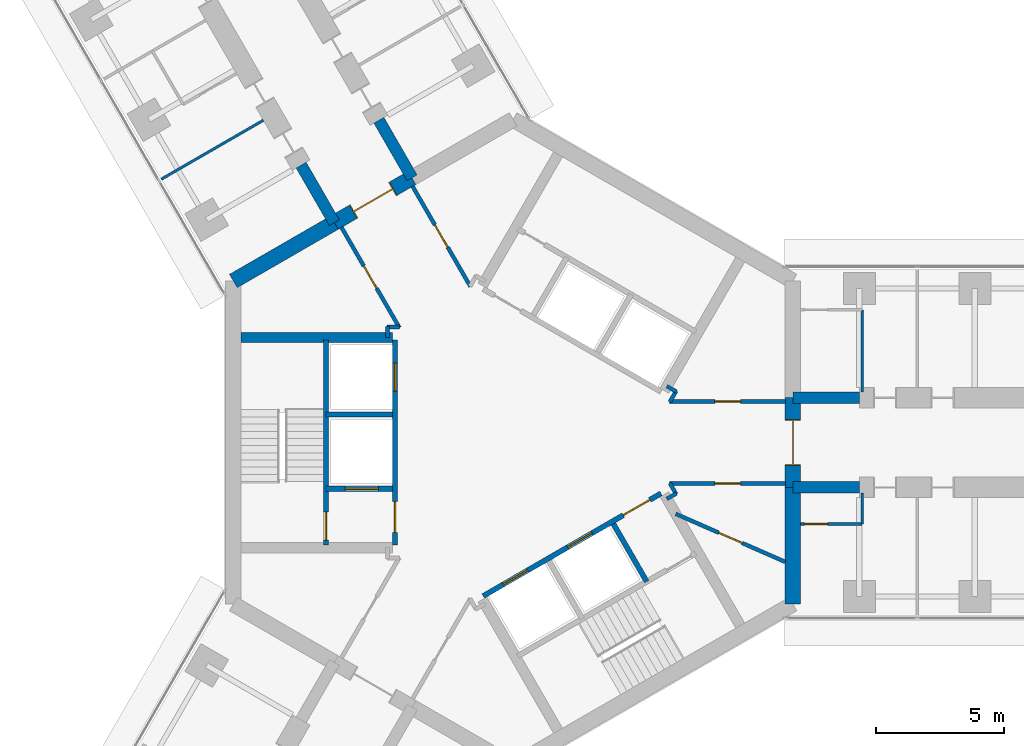
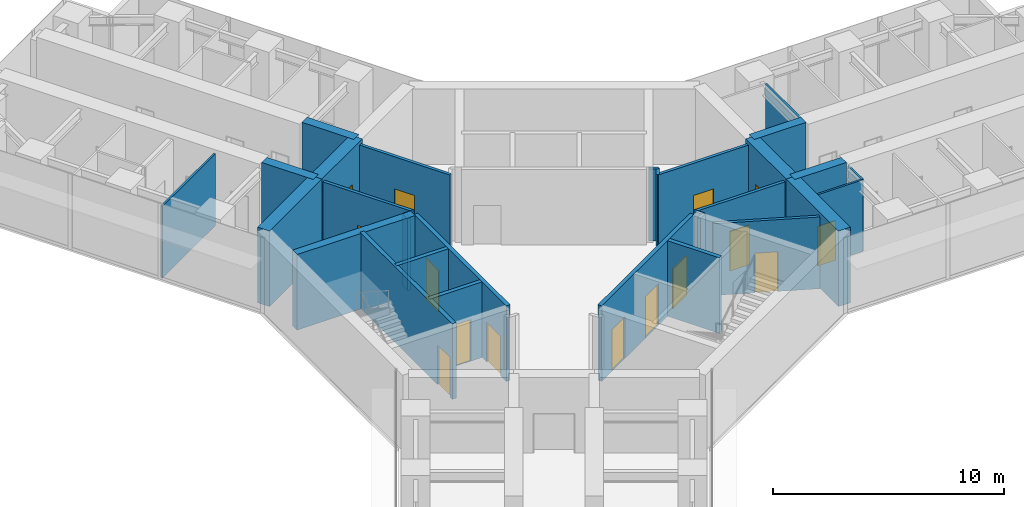
# One storey, part 16 of 23: 30 walls, 15 doors, 15 openings.
"""IFC4 building model written with IfcOpenShell, lengths in metres."""

from ifc_helpers import new_model, si_unit, direction, frame, frame_2d, origin, place, context, subcontext, project, spatial, rectangle, extrude, material, layer, layer_set, type_object, element, fill, save


model = new_model("IFC4")

# Units and contexts
model_context = context("Model", 3, precision=1e-05, world=origin(), true_north=direction((0.0, 1.0)))
body_context = subcontext(model_context, "Body", "Model", "MODEL_VIEW")
ifc_project = project(units=[si_unit("LENGTHUNIT", "METRE"), si_unit("AREAUNIT", "SQUARE_METRE"), si_unit("VOLUMEUNIT", "CUBIC_METRE"), si_unit("PLANEANGLEUNIT", "RADIAN"), si_unit("MASSUNIT", "GRAM", prefix="KILO")], contexts=[model_context])

# Site, building, storey
site_placement = place(None, origin())
site = spatial("IfcSite", under=ifc_project, at=site_placement, CompositionType="ELEMENT")
building_placement = place(site_placement, origin())
building = spatial("IfcBuilding", under=site, at=building_placement, Name="Upepo Twin Towers", CompositionType="ELEMENT")
storey_placement = place(building_placement, frame((0.0, 0.0, 149.5)))
storey = spatial("IfcBuildingStorey", under=building, at=storey_placement, Name="L36", CompositionType="ELEMENT", Elevation=149.5)

# Walls
ifc_material_1 = material(Name="Concrete C60/75", Category="concrete")
ifc_layer_1 = layer(ifc_material_1, 0.449951171875)
ifc_layer_set_1 = layer_set([ifc_layer_1], Name="Concrete C60/75")
wall_type_1 = type_object("IfcWallType", Name="Buttress wall 450 RC", PredefinedType="SHEAR", material=ifc_layer_set_1)
for number, where, z_axis, x_axis, name in (
    (1, (10.908447265625, 1.75, 0.0), (0.0, 0.0, 1.0), (1.0, 0.0, 0.0), "T1 wing A buttress wall L"),
    (2, (10.908447265625, -1.75, 0.0), (0.0, 0.0, 1.0), (1.0, 0.0, 0.0), "T1 wing A buttress wall R"),
):
    element("IfcWall", number, at=place(storey_placement, frame(where, z_axis=z_axis, x_axis=x_axis)), inside=storey, type_object=wall_type_1, Name=name, PredefinedType="SHEAR", context=body_context, shape_type="SweptSolid", body=[
        extrude(rectangle(XDim=2.591552734375, YDim=0.449951171875, at=frame_2d((1.2958984375, 0.0))), origin(), (0.0, 0.0, 1.0), 4.0),
    ])
for number, where, z_axis, x_axis, name in (
    (3, (-6.9697265625, 8.57177734375, 0.0), (0.0, 0.0, 1.0), (-0.499988811324, 0.866031863473, 0.0), "T1 wing B buttress wall L"),
    (4, (-3.938720703125, 10.32177734375, 0.0), (0.0, 0.0, 1.0), (-0.499918158782, 0.866072649678, 0.0), "T1 wing B buttress wall R"),
):
    element("IfcWall", number, at=place(storey_placement, frame(where, z_axis=z_axis, x_axis=x_axis)), inside=storey, type_object=wall_type_1, Name=name, PredefinedType="SHEAR", context=body_context, shape_type="SweptSolid", body=[
        extrude(rectangle(XDim=2.591796875, YDim=0.449951171875, at=frame_2d((1.2958984375, 0.0))), origin(), (0.0, 0.0, 1.0), 4.0),
    ])
ifc_material_2 = material(Name="Concrete C60/75", Category="concrete")
ifc_layer_2 = layer(ifc_material_2, 0.60009765625)
ifc_layer_set_2 = layer_set([ifc_layer_2], Name="Concrete C60/75")
wall_type_2 = type_object("IfcWallType", Name="Core wall 600 RC", PredefinedType="SHEAR", material=ifc_layer_set_2)
wall_1_placement = place(storey_placement, frame((10.908447265625, -6.2978515625, 0.0), z_axis=(0.0, 0.0, 1.0), x_axis=(0.0, 1.0, 0.0)))
element("IfcWall", 5, at=wall_1_placement, inside=storey, type_object=wall_type_2, Name="T1 core wall 000 R", PredefinedType="SHEAR", context=body_context, shape_type="SweptSolid", body=[
    extrude(rectangle(XDim=4.5478515625, YDim=0.60009765625, at=frame_2d((2.27392578125, 0.0))), origin(), (0.0, 0.0, 1.0), 4.0),
])

# Wall, opening, door
wall_2_placement = place(storey_placement, frame((10.908447265625, -1.75, 0.0), z_axis=(0.0, 0.0, 1.0), x_axis=(0.0, 1.0, 0.0)))
wall_2 = element("IfcWall", 6, at=wall_2_placement, inside=storey, type_object=wall_type_2, Name="T1 core wall 000", PredefinedType="SHEAR", context=body_context, shape_type="SweptSolid", body=[
    extrude(rectangle(XDim=3.5, YDim=0.60009765625, at=frame_2d((1.75, 0.0))), origin(), (0.0, 0.0, 1.0), 4.0),
])
opening_1_placement = place(wall_2_placement, frame((0.85009765625, 0.0, 0.0)))
opening_1 = element("IfcOpeningElement", 7, at=opening_1_placement, cuts=wall_2, Name="Opening D2", PredefinedType="OPENING", context=body_context, shape_type="SweptSolid", body=[
    extrude(rectangle(XDim=1.800048828125, YDim=2.10009765625, at=frame_2d((0.89990234375, 1.050048828125))), frame((0.0, 0.31005859375, 0.0), z_axis=(0.0, -1.0, 0.0), x_axis=(1.0, 0.0, 0.0)), (0.0, 0.0, 1.0), 0.6201171875),
])
ifc_material_3 = material(Name="Timber doorset", Category="wood")
door_type_1 = type_object("IfcDoorType", Name="Corridor double door 1800 FD60", OperationType="DOUBLE_DOOR_DOUBLE_SWING", PredefinedType="DOOR", material=ifc_material_3)
door_1_placement = place(opening_1_placement, origin())
door_1 = element("IfcDoor", 8, at=door_1_placement, inside=storey, type_object=door_type_1, Name="T1 L36 wing A corridor door", OperationType="DOUBLE_DOOR_DOUBLE_SWING", OverallHeight=2.10009765625, OverallWidth=1.800048828125, PredefinedType="DOOR", context=body_context, shape_type="SweptSolid", body=[
    extrude(rectangle(XDim=1.720048828125, YDim=2.06009765625, at=frame_2d((0.89990234375, 1.030029296875))), frame((0.0, 0.02490234375, 0.0), z_axis=(0.0, -1.0, 0.0), x_axis=(1.0, 0.0, 0.0)), (0.0, 0.0, 1.0), 0.050048828125),
    extrude(rectangle(XDim=0.04, YDim=2.10009765625, at=frame_2d((0.02001953125, 1.050048828125))), frame((0.0, 0.2998046875, 0.0), z_axis=(0.0, -1.0, 0.0), x_axis=(1.0, 0.0, 0.0)), (0.0, 0.0, 1.0), 0.599609375),
    extrude(rectangle(XDim=0.04, YDim=2.10009765625, at=frame_2d((1.780029296875, 1.050048828125))), frame((0.0, 0.2998046875, 0.0), z_axis=(0.0, -1.0, 0.0), x_axis=(1.0, 0.0, 0.0)), (0.0, 0.0, 1.0), 0.599609375),
    extrude(rectangle(XDim=1.720048828125, YDim=0.04, at=frame_2d((0.89990234375, 2.080078125))), frame((0.0, 0.2998046875, 0.0), z_axis=(0.0, -1.0, 0.0), x_axis=(1.0, 0.0, 0.0)), (0.0, 0.0, 1.0), 0.599609375),
])
fill(opening_1, door_1)

wall_3_placement = place(storey_placement, frame((-3.938720703125, 10.32177734375, 0.0), z_axis=(0.0, 0.0, 1.0), x_axis=(-0.866019471182, -0.500010275428, 0.0)))
wall_3 = element("IfcWall", 9, at=wall_3_placement, inside=storey, type_object=wall_type_2, Name="T1 core wall 120", PredefinedType="SHEAR", context=body_context, shape_type="SweptSolid", body=[
    extrude(rectangle(XDim=3.5, YDim=0.60009765625, at=frame_2d((1.75, 0.0))), origin(), (0.0, 0.0, 1.0), 4.0),
])
opening_2_placement = place(wall_3_placement, frame((0.85009765625, 0.0, 0.0)))
opening_2 = element("IfcOpeningElement", 10, at=opening_2_placement, cuts=wall_3, Name="Opening D2", PredefinedType="OPENING", context=body_context, shape_type="SweptSolid", body=[
    extrude(rectangle(XDim=1.800048828125, YDim=2.10009765625, at=frame_2d((0.89990234375, 1.050048828125))), frame((0.0, 0.31005859375, 0.0), z_axis=(0.0, -1.0, 0.0), x_axis=(1.0, 0.0, 0.0)), (0.0, 0.0, 1.0), 0.6201171875),
])
door_2_placement = place(opening_2_placement, origin())
door_2 = element("IfcDoor", 11, at=door_2_placement, inside=storey, type_object=door_type_1, Name="T1 L36 wing B corridor door", OperationType="DOUBLE_DOOR_DOUBLE_SWING", OverallHeight=2.10009765625, OverallWidth=1.800048828125, PredefinedType="DOOR", context=body_context, shape_type="SweptSolid", body=[
    extrude(rectangle(XDim=1.720048828125, YDim=2.06009765625, at=frame_2d((0.89990234375, 1.030029296875))), frame((0.0, 0.02490234375, 0.0), z_axis=(0.0, -1.0, 0.0), x_axis=(1.0, 0.0, 0.0)), (0.0, 0.0, 1.0), 0.050048828125),
    extrude(rectangle(XDim=0.04, YDim=2.10009765625, at=frame_2d((0.02001953125, 1.050048828125))), frame((0.0, 0.2998046875, 0.0), z_axis=(0.0, -1.0, 0.0), x_axis=(1.0, 0.0, 0.0)), (0.0, 0.0, 1.0), 0.599609375),
    extrude(rectangle(XDim=0.04, YDim=2.10009765625, at=frame_2d((1.780029296875, 1.050048828125))), frame((0.0, 0.2998046875, 0.0), z_axis=(0.0, -1.0, 0.0), x_axis=(1.0, 0.0, 0.0)), (0.0, 0.0, 1.0), 0.599609375),
    extrude(rectangle(XDim=1.720048828125, YDim=0.04, at=frame_2d((0.89990234375, 2.080078125))), frame((0.0, 0.2998046875, 0.0), z_axis=(0.0, -1.0, 0.0), x_axis=(1.0, 0.0, 0.0)), (0.0, 0.0, 1.0), 0.599609375),
])
fill(opening_2, door_2)

# Walls
wall_4_placement = place(storey_placement, frame((-6.9697265625, 8.57177734375, 0.0), z_axis=(0.0, 0.0, 1.0), x_axis=(-0.866034513004, -0.499984222037, 0.0)))
element("IfcWall", 12, at=wall_4_placement, inside=storey, type_object=wall_type_2, Name="T1 core wall 120 L", PredefinedType="SHEAR", context=body_context, shape_type="SweptSolid", body=[
    extrude(rectangle(XDim=4.548095703125, YDim=0.60009765625, at=frame_2d((2.27392578125, 0.0))), origin(), (0.0, 0.0, 1.0), 4.0),
])
ifc_material_4 = material(Name="Gypsum board on steel studs", Category="steel")
ifc_layer_3 = layer(ifc_material_4, 0.10009765625)
ifc_layer_set_3 = layer_set([ifc_layer_3], Name="Office partition 100 stud")
wall_type_3 = type_object("IfcWallType", Name="Office partition 100 stud", PredefinedType="PARTITIONING", material=ifc_layer_set_3)
wall_5_placement = place(storey_placement, frame((13.60791015625, 1.97509765625, 0.0), z_axis=(0.0, 0.0, 1.0), x_axis=(0.0, 1.0, 0.0)))
element("IfcWall", 13, at=wall_5_placement, inside=storey, type_object=wall_type_3, Name="T1 WC bay partition AL end at 13.61", PredefinedType="PARTITIONING", context=body_context, shape_type="SweptSolid", body=[
    extrude(rectangle(XDim=3.199951171875, YDim=0.10009765625, at=frame_2d((1.60009765625, 0.0))), origin(), (0.0, 0.0, 1.0), 3.800048828125),
])

# Wall, opening, door
wall_6_placement = place(storey_placement, frame((11.2080078125, -3.175048828125, 0.0), z_axis=(0.0, 0.0, 1.0), x_axis=(1.0, 0.0, 0.0)))
wall_6 = element("IfcWall", 14, at=wall_6_placement, inside=storey, type_object=wall_type_3, Name="T1 WC bay partition AR at 11.21", PredefinedType="PARTITIONING", context=body_context, shape_type="SweptSolid", body=[
    extrude(rectangle(XDim=2.39990234375, YDim=0.10009765625, at=frame_2d((1.199951171875, 0.0))), origin(), (0.0, 0.0, 1.0), 3.800048828125),
])
opening_3_placement = place(wall_6_placement, frame((0.14990234375, 0.0, 0.0)))
opening_3 = element("IfcOpeningElement", 15, at=opening_3_placement, cuts=wall_6, Name="Opening D14", PredefinedType="OPENING", context=body_context, shape_type="SweptSolid", body=[
    extrude(rectangle(XDim=0.89990234375, YDim=2.10009765625, at=frame_2d((0.449951171875, 1.050048828125))), frame((0.0, 0.06005859375, 0.0), z_axis=(0.0, -1.0, 0.0), x_axis=(1.0, 0.0, 0.0)), (0.0, 0.0, 1.0), 0.1201171875),
])
ifc_material_5 = material(Name="Timber doorset", Category="wood")
door_type_2 = type_object("IfcDoorType", Name="Office door 900 FD30", OperationType="SINGLE_SWING_LEFT", PredefinedType="DOOR", material=ifc_material_5)
door_3_placement = place(opening_3_placement, origin())
door_3 = element("IfcDoor", 16, at=door_3_placement, inside=storey, type_object=door_type_2, Name="T1 L36 WC bay inner room door", OperationType="SINGLE_SWING_LEFT", OverallHeight=2.10009765625, OverallWidth=0.89990234375, PredefinedType="DOOR", context=body_context, shape_type="SweptSolid", body=[
    extrude(rectangle(XDim=0.89990234375, YDim=2.10009765625, at=frame_2d((0.449951171875, 1.050048828125))), frame((0.0, 0.02490234375, 0.0), z_axis=(0.0, -1.0, 0.0), x_axis=(1.0, 0.0, 0.0)), (0.0, 0.0, 1.0), 0.050048828125),
])
fill(opening_3, door_3)

# Walls
wall_7_placement = place(storey_placement, frame((13.60791015625, -1.97509765625, 0.0), z_axis=(0.0, 0.0, 1.0), x_axis=(0.0, -1.0, 0.0)))
element("IfcWall", 17, at=wall_7_placement, inside=storey, type_object=wall_type_3, Name="T1 WC bay partition AR end at 13.61", PredefinedType="PARTITIONING", context=body_context, shape_type="SweptSolid", body=[
    extrude(rectangle(XDim=1.199951171875, YDim=0.10009765625, at=frame_2d((0.60009765625, 0.0))), origin(), (0.0, 0.0, 1.0), 3.800048828125),
])
wall_8_placement = place(storey_placement, frame((-9.737060546875, 12.56494140625, 0.0), z_axis=(0.0, 0.0, 1.0), x_axis=(-0.866016770315, -0.500014953309, 0.0)))
element("IfcWall", 18, at=wall_8_placement, inside=storey, type_object=wall_type_3, Name="T1 partition BL at 15.75", PredefinedType="PARTITIONING", context=body_context, shape_type="SweptSolid", body=[
    extrude(rectangle(XDim=4.599853515625, YDim=0.10009765625, at=frame_2d((2.2998046875, 0.0))), origin(), (0.0, 0.0, 1.0), 3.800048828125),
])

# Wall, openings, doors
ifc_material_6 = material(Name="Concrete C40/50", Category="concrete")
ifc_layer_4 = layer(ifc_material_6, 0.199951171875)
ifc_layer_set_4 = layer_set([ifc_layer_4], Name="Concrete C40/50")
wall_type_4 = type_object("IfcWallType", Name="Shaft wall 200 RC", PredefinedType="SHEAR", material=ifc_layer_set_4)
wall_9_placement = place(storey_placement, frame((-4.60009765625, 4.0, 0.0), z_axis=(0.0, 0.0, 1.0), x_axis=(0.0, -1.0, 0.0)))
wall_9 = element("IfcWall", 19, at=wall_9_placement, inside=storey, type_object=wall_type_4, Name="T1 core W180 front wall", PredefinedType="SHEAR", context=body_context, shape_type="SweptSolid", body=[
    extrude(rectangle(XDim=8.0, YDim=0.199951171875, at=frame_2d((4.0, 0.0))), origin(), (0.0, 0.0, 1.0), 4.0),
])
opening_4_placement = place(wall_9_placement, frame((6.300048828125, 0.0, 0.0)))
opening_4 = element("IfcOpeningElement", 20, at=opening_4_placement, cuts=wall_9, Name="Opening D4", PredefinedType="OPENING", context=body_context, shape_type="SweptSolid", body=[
    extrude(rectangle(XDim=1.199951171875, YDim=2.10009765625, at=frame_2d((0.60009765625, 1.050048828125))), frame((0.0, 0.10986328125, 0.0), z_axis=(0.0, -1.0, 0.0), x_axis=(1.0, 0.0, 0.0)), (0.0, 0.0, 1.0), 0.219970703125),
])
opening_5_placement = place(wall_9_placement, frame((0.89990234375, 0.0, 0.0)))
opening_5 = element("IfcOpeningElement", 21, at=opening_5_placement, cuts=wall_9, Name="Opening LD1", PredefinedType="OPENING", context=body_context, shape_type="SweptSolid", body=[
    extrude(rectangle(XDim=1.10009765625, YDim=2.199951171875, at=frame_2d((0.550048828125, 1.10009765625))), frame((0.0, 0.10986328125, 0.0), z_axis=(0.0, -1.0, 0.0), x_axis=(1.0, 0.0, 0.0)), (0.0, 0.0, 1.0), 0.219970703125),
])
ifc_material_7 = material(Name="Steel doorset", Category="steel")
door_type_3 = type_object("IfcDoorType", Name="Lift landing door 1100", OperationType="DOUBLE_DOOR_SLIDING", PredefinedType="DOOR", material=ifc_material_7)
door_4_placement = place(opening_5_placement, origin())
door_4 = element("IfcDoor", 22, at=door_4_placement, inside=storey, type_object=door_type_3, Name="T1 L36 lift SV1 landing door", OperationType="DOUBLE_DOOR_SLIDING", OverallHeight=2.199951171875, OverallWidth=1.10009765625, PredefinedType="DOOR", context=body_context, shape_type="SweptSolid", body=[
    extrude(rectangle(XDim=1.10009765625, YDim=2.199951171875, at=frame_2d((0.550048828125, 1.10009765625))), frame((0.0, 0.02490234375, 0.0), z_axis=(0.0, -1.0, 0.0), x_axis=(1.0, 0.0, 0.0)), (0.0, 0.0, 1.0), 0.050048828125),
])
fill(opening_5, door_4)
ifc_material_8 = material(Name="Timber doorset", Category="wood")
door_type_4 = type_object("IfcDoorType", Name="Lobby door 1200 FD60", OperationType="SINGLE_SWING_LEFT", PredefinedType="DOOR", material=ifc_material_8)
door_5_placement = place(opening_4_placement, origin())
door_5 = element("IfcDoor", 23, at=door_5_placement, inside=storey, type_object=door_type_4, Name="T1 L36 W180 lobby door", OperationType="SINGLE_SWING_RIGHT", OverallHeight=2.10009765625, OverallWidth=1.199951171875, PredefinedType="DOOR", context=body_context, shape_type="SweptSolid", body=[
    extrude(rectangle(XDim=1.199951171875, YDim=2.10009765625, at=frame_2d((0.60009765625, 1.050048828125))), frame((0.0, 0.02490234375, 0.0), z_axis=(0.0, -1.0, 0.0), x_axis=(1.0, 0.0, 0.0)), (0.0, 0.0, 1.0), 0.050048828125),
])
fill(opening_4, door_5)

# Wall
wall_10_placement = place(storey_placement, frame((-4.699951171875, 1.10009765625, 0.0), z_axis=(0.0, 0.0, 1.0), x_axis=(-1.0, 0.0, 0.0)))
element("IfcWall", 24, at=wall_10_placement, inside=storey, type_object=wall_type_4, Name="T1 core W180 shaft divider", PredefinedType="SHEAR", context=body_context, shape_type="SweptSolid", body=[
    extrude(rectangle(XDim=2.60009765625, YDim=0.199951171875, at=frame_2d((1.300048828125, 0.0))), origin(), (0.0, 0.0, 1.0), 4.0),
])

# Wall, opening, door
wall_11_placement = place(storey_placement, frame((-4.699951171875, -1.800048828125, 0.0), z_axis=(0.0, 0.0, 1.0), x_axis=(-1.0, 0.0, 0.0)))
wall_11 = element("IfcWall", 25, at=wall_11_placement, inside=storey, type_object=wall_type_4, Name="T1 core W180 lobby wall", PredefinedType="SHEAR", context=body_context, shape_type="SweptSolid", body=[
    extrude(rectangle(XDim=2.60009765625, YDim=0.199951171875, at=frame_2d((1.300048828125, 0.0))), origin(), (0.0, 0.0, 1.0), 4.0),
])
opening_6_placement = place(wall_11_placement, frame((0.550048828125, 0.0, 0.0)))
opening_6 = element("IfcOpeningElement", 26, at=opening_6_placement, cuts=wall_11, Name="Opening LD2", PredefinedType="OPENING", context=body_context, shape_type="SweptSolid", body=[
    extrude(rectangle(XDim=1.300048828125, YDim=2.199951171875, at=frame_2d((0.64990234375, 1.10009765625))), frame((0.0, 0.10986328125, 0.0), z_axis=(0.0, -1.0, 0.0), x_axis=(1.0, 0.0, 0.0)), (0.0, 0.0, 1.0), 0.219970703125),
])
ifc_material_9 = material(Name="Steel doorset", Category="steel")
door_type_5 = type_object("IfcDoorType", Name="Firefighting lift landing door 1300", OperationType="DOUBLE_DOOR_SLIDING", PredefinedType="DOOR", material=ifc_material_9)
door_6_placement = place(opening_6_placement, origin())
door_6 = element("IfcDoor", 27, at=door_6_placement, inside=storey, type_object=door_type_5, Name="T1 L36 firefighting lift landing door", OperationType="DOUBLE_DOOR_SLIDING", OverallHeight=2.199951171875, OverallWidth=1.300048828125, PredefinedType="DOOR", context=body_context, shape_type="SweptSolid", body=[
    extrude(rectangle(XDim=1.300048828125, YDim=2.199951171875, at=frame_2d((0.64990234375, 1.10009765625))), frame((0.0, 0.02490234375, 0.0), z_axis=(0.0, -1.0, 0.0), x_axis=(1.0, 0.0, 0.0)), (0.0, 0.0, 1.0), 0.050048828125),
])
fill(opening_6, door_6)

wall_12_placement = place(storey_placement, frame((-7.300048828125, 4.0, 0.0), z_axis=(0.0, 0.0, 1.0), x_axis=(0.0, -1.0, 0.0)))
wall_12 = element("IfcWall", 28, at=wall_12_placement, inside=storey, type_object=wall_type_4, Name="T1 core W180 stair wall", PredefinedType="SHEAR", context=body_context, shape_type="SweptSolid", body=[
    extrude(rectangle(XDim=8.0, YDim=0.199951171875, at=frame_2d((4.0, 0.0))), origin(), (0.0, 0.0, 1.0), 4.0),
])
opening_7_placement = place(wall_12_placement, frame((6.699951171875, 0.0, 0.0)))
opening_7 = element("IfcOpeningElement", 29, at=opening_7_placement, cuts=wall_12, Name="Opening D3", PredefinedType="OPENING", context=body_context, shape_type="SweptSolid", body=[
    extrude(rectangle(XDim=1.10009765625, YDim=2.10009765625, at=frame_2d((0.550048828125, 1.050048828125))), frame((0.0, 0.10986328125, 0.0), z_axis=(0.0, -1.0, 0.0), x_axis=(1.0, 0.0, 0.0)), (0.0, 0.0, 1.0), 0.219970703125),
])
ifc_material_10 = material(Name="Timber doorset", Category="wood")
door_type_6 = type_object("IfcDoorType", Name="Stair door 1100 FD60", OperationType="SINGLE_SWING_LEFT", PredefinedType="DOOR", material=ifc_material_10)
door_7_placement = place(opening_7_placement, origin())
door_7 = element("IfcDoor", 30, at=door_7_placement, inside=storey, type_object=door_type_6, Name="T1 L36 stair door", OperationType="SINGLE_SWING_RIGHT", OverallHeight=2.10009765625, OverallWidth=1.10009765625, PredefinedType="DOOR", context=body_context, shape_type="SweptSolid", body=[
    extrude(rectangle(XDim=1.10009765625, YDim=2.10009765625, at=frame_2d((0.550048828125, 1.050048828125))), frame((0.0, 0.02490234375, 0.0), z_axis=(0.0, -1.0, 0.0), x_axis=(1.0, 0.0, 0.0)), (0.0, 0.0, 1.0), 0.050048828125),
])
fill(opening_7, door_7)

# Wall, openings, doors
wall_13_placement = place(storey_placement, frame((-1.1640625, -5.983642578125, 0.0), z_axis=(0.0, 0.0, 1.0), x_axis=(0.866026010844, 0.49999894854, 0.0)))
wall_13 = element("IfcWall", 31, at=wall_13_placement, inside=storey, type_object=wall_type_4, Name="T1 core W300 front wall", PredefinedType="SHEAR", context=body_context, shape_type="SweptSolid", body=[
    extrude(rectangle(XDim=8.0, YDim=0.199951171875, at=frame_2d((4.0, 0.0))), origin(), (0.0, 0.0, 1.0), 4.0),
])
opening_8_placement = place(wall_13_placement, frame((6.300048828125, 0.0, 0.0)))
opening_8 = element("IfcOpeningElement", 32, at=opening_8_placement, cuts=wall_13, Name="Opening D4", PredefinedType="OPENING", context=body_context, shape_type="SweptSolid", body=[
    extrude(rectangle(XDim=1.199951171875, YDim=2.10009765625, at=frame_2d((0.60009765625, 1.050048828125))), frame((0.0, 0.10986328125, 0.0), z_axis=(0.0, -1.0, 0.0), x_axis=(1.0, 0.0, 0.0)), (0.0, 0.0, 1.0), 0.219970703125),
])
opening_9_placement = place(wall_13_placement, frame((0.89990234375, 0.0, 0.0)))
opening_9 = element("IfcOpeningElement", 33, at=opening_9_placement, cuts=wall_13, Name="Opening LD1", PredefinedType="OPENING", context=body_context, shape_type="SweptSolid", body=[
    extrude(rectangle(XDim=1.10009765625, YDim=2.199951171875, at=frame_2d((0.550048828125, 1.10009765625))), frame((0.0, 0.10986328125, 0.0), z_axis=(0.0, -1.0, 0.0), x_axis=(1.0, 0.0, 0.0)), (0.0, 0.0, 1.0), 0.219970703125),
])
opening_10_placement = place(wall_13_placement, frame((3.800048828125, 0.0, 0.0)))
opening_10 = element("IfcOpeningElement", 34, at=opening_10_placement, cuts=wall_13, Name="Opening LD1", PredefinedType="OPENING", context=body_context, shape_type="SweptSolid", body=[
    extrude(rectangle(XDim=1.10009765625, YDim=2.199951171875, at=frame_2d((0.550048828125, 1.10009765625))), frame((0.0, 0.10986328125, 0.0), z_axis=(0.0, -1.0, 0.0), x_axis=(1.0, 0.0, 0.0)), (0.0, 0.0, 1.0), 0.219970703125),
])
door_8_placement = place(opening_9_placement, origin())
door_8 = element("IfcDoor", 35, at=door_8_placement, inside=storey, type_object=door_type_3, Name="T1 L36 lift ML1 landing door", OperationType="DOUBLE_DOOR_SLIDING", OverallHeight=2.199951171875, OverallWidth=1.10009765625, PredefinedType="DOOR", context=body_context, shape_type="SweptSolid", body=[
    extrude(rectangle(XDim=1.10009765625, YDim=2.199951171875, at=frame_2d((0.550048828125, 1.10009765625))), frame((0.0, 0.02490234375, 0.0), z_axis=(0.0, -1.0, 0.0), x_axis=(1.0, 0.0, 0.0)), (0.0, 0.0, 1.0), 0.050048828125),
])
fill(opening_9, door_8)
door_9_placement = place(opening_10_placement, origin())
door_9 = element("IfcDoor", 36, at=door_9_placement, inside=storey, type_object=door_type_3, Name="T1 L36 lift ML2 landing door", OperationType="DOUBLE_DOOR_SLIDING", OverallHeight=2.199951171875, OverallWidth=1.10009765625, PredefinedType="DOOR", context=body_context, shape_type="SweptSolid", body=[
    extrude(rectangle(XDim=1.10009765625, YDim=2.199951171875, at=frame_2d((0.550048828125, 1.10009765625))), frame((0.0, 0.02490234375, 0.0), z_axis=(0.0, -1.0, 0.0), x_axis=(1.0, 0.0, 0.0)), (0.0, 0.0, 1.0), 0.050048828125),
])
fill(opening_10, door_9)
door_10_placement = place(opening_8_placement, origin())
door_10 = element("IfcDoor", 37, at=door_10_placement, inside=storey, type_object=door_type_4, Name="T1 L36 W300 lobby door", OperationType="SINGLE_SWING_RIGHT", OverallHeight=2.10009765625, OverallWidth=1.199951171875, PredefinedType="DOOR", context=body_context, shape_type="SweptSolid", body=[
    extrude(rectangle(XDim=1.199951171875, YDim=2.10009765625, at=frame_2d((0.60009765625, 1.050048828125))), frame((0.0, 0.02490234375, 0.0), z_axis=(0.0, -1.0, 0.0), x_axis=(1.0, 0.0, 0.0)), (0.0, 0.0, 1.0), 0.050048828125),
])
fill(opening_8, door_10)

# Walls
wall_14_placement = place(storey_placement, frame((3.908935546875, -3.17041015625, 0.0), z_axis=(0.0, 0.0, 1.0), x_axis=(0.49997716683, -0.86603858612, 0.0)))
element("IfcWall", 38, at=wall_14_placement, inside=storey, type_object=wall_type_4, Name="T1 core W300 lobby wall", PredefinedType="SHEAR", context=body_context, shape_type="SweptSolid", body=[
    extrude(rectangle(XDim=2.599609375, YDim=0.199951171875, at=frame_2d((1.2998046875, 0.0))), origin(), (0.0, 0.0, 1.0), 4.0),
])
ifc_material_11 = material(Name="Concrete C40/50", Category="concrete")
ifc_layer_5 = layer(ifc_material_11, 0.39990234375)
ifc_layer_set_5 = layer_set([ifc_layer_5], Name="Concrete C40/50")
wall_type_5 = type_object("IfcWallType", Name="Shaft wall 400 RC", PredefinedType="SHEAR", material=ifc_layer_set_5)
wall_15_placement = place(storey_placement, frame((-4.699951171875, 4.10009765625, 0.0), z_axis=(0.0, 0.0, 1.0), x_axis=(-1.0, 0.0, 0.0)))
element("IfcWall", 39, at=wall_15_placement, inside=storey, type_object=wall_type_5, Name="T1 core W180 side wall S", PredefinedType="SHEAR", context=body_context, shape_type="SweptSolid", body=[
    extrude(rectangle(XDim=5.908447265625, YDim=0.39990234375, at=frame_2d((2.9541015625, 0.0))), origin(), (0.0, 0.0, 1.0), 4.0),
])
ifc_material_12 = material(Name="Gypsum board on steel studs", Category="steel")
ifc_layer_6 = layer(ifc_material_12, 0.14990234375)
ifc_layer_set_6 = layer_set([ifc_layer_6], Name="Teaching partition 150 acoustic")
wall_type_6 = type_object("IfcWallType", Name="Teaching partition 150 acoustic", PredefinedType="PARTITIONING", material=ifc_layer_set_6)
for number, where, z_axis, x_axis, name in (
    (40, (6.364501953125, -1.9833984375, 0.0), (0.0, 0.0, 1.0), (-0.865892400268, -0.500230298122, 0.0), "T1 core room partition 1"),
    (41, (-4.89990234375, 4.090087890625, 0.0), (0.0, 0.0, 1.0), (0.0, 1.0, 0.0), "T1 core room partition 8"),
):
    element("IfcWall", number, at=place(storey_placement, frame(where, z_axis=z_axis, x_axis=x_axis)), inside=storey, type_object=wall_type_6, Name=name, PredefinedType="PARTITIONING", context=body_context, shape_type="SweptSolid", body=[
        extrude(rectangle(XDim=0.429931640625, YDim=0.14990234375, at=frame_2d((0.21484375, 0.0))), origin(), (0.0, 0.0, 1.0), 3.800048828125),
    ])
wall_16_placement = place(storey_placement, frame((-4.919921875, 4.5, 0.0), z_axis=(0.0, 0.0, 1.0), x_axis=(1.0, 0.0, 0.0)))
element("IfcWall", 42, at=wall_16_placement, inside=storey, type_object=wall_type_6, Name="T1 core room partition 9", PredefinedType="PARTITIONING", context=body_context, shape_type="SweptSolid", body=[
    extrude(rectangle(XDim=0.494384765625, YDim=0.14990234375, at=frame_2d((0.2470703125, 0.0))), origin(), (0.0, 0.0, 1.0), 3.800048828125),
])

# Wall, opening, door
wall_17_placement = place(storey_placement, frame((-4.435546875, 4.482666015625, 0.0), z_axis=(0.0, 0.0, 1.0), x_axis=(-0.500009315796, 0.86602002524, 0.0)))
wall_17 = element("IfcWall", 43, at=wall_17_placement, inside=storey, type_object=wall_type_6, Name="T1 core room partition 10", PredefinedType="PARTITIONING", context=body_context, shape_type="SweptSolid", body=[
    extrude(rectangle(XDim=4.5185546875, YDim=0.14990234375, at=frame_2d((2.25927734375, 0.0))), origin(), (0.0, 0.0, 1.0), 3.800048828125),
])
opening_11_placement = place(wall_17_placement, frame((1.769287109375, 0.0, 0.0)))
opening_11 = element("IfcOpeningElement", 44, at=opening_11_placement, cuts=wall_17, Name="Opening D1", PredefinedType="OPENING", context=body_context, shape_type="SweptSolid", body=[
    extrude(rectangle(XDim=1.0, YDim=2.10009765625, at=frame_2d((0.5, 1.050048828125))), frame((0.0, 0.0849609375, 0.0), z_axis=(0.0, -1.0, 0.0), x_axis=(1.0, 0.0, 0.0)), (0.0, 0.0, 1.0), 0.169921875),
])
ifc_material_13 = material(Name="Timber doorset", Category="wood")
door_type_7 = type_object("IfcDoorType", Name="Room door 1000 FD30", OperationType="SINGLE_SWING_LEFT", PredefinedType="DOOR", material=ifc_material_13)
door_11_placement = place(opening_11_placement, origin())
door_11 = element("IfcDoor", 45, at=door_11_placement, inside=storey, type_object=door_type_7, Name="T1 L36 core room door K7", OperationType="SINGLE_SWING_RIGHT", OverallHeight=2.10009765625, OverallWidth=1.0, PredefinedType="DOOR", context=body_context, shape_type="SweptSolid", body=[
    extrude(rectangle(XDim=1.0, YDim=2.10009765625, at=frame_2d((0.5, 1.050048828125))), frame((0.0, 0.02490234375, 0.0), z_axis=(0.0, -1.0, 0.0), x_axis=(1.0, 0.0, 0.0)), (0.0, 0.0, 1.0), 0.050048828125),
])
fill(opening_11, door_11)

wall_18_placement = place(storey_placement, frame((-3.923583984375, 9.99560546875, 0.0), z_axis=(0.0, 0.0, 1.0), x_axis=(0.500032713409, -0.866006515865, 0.0)))
wall_18 = element("IfcWall", 46, at=wall_18_placement, inside=storey, type_object=wall_type_6, Name="T1 core room partition 11", PredefinedType="PARTITIONING", context=body_context, shape_type="SweptSolid", body=[
    extrude(rectangle(XDim=4.518310546875, YDim=0.14990234375, at=frame_2d((2.25927734375, 0.0))), origin(), (0.0, 0.0, 1.0), 3.800048828125),
])
opening_12_placement = place(wall_18_placement, frame((1.7490234375, 0.0, 0.0)))
opening_12 = element("IfcOpeningElement", 47, at=opening_12_placement, cuts=wall_18, Name="Opening D1", PredefinedType="OPENING", context=body_context, shape_type="SweptSolid", body=[
    extrude(rectangle(XDim=1.0, YDim=2.10009765625, at=frame_2d((0.5, 1.050048828125))), frame((0.0, 0.0849609375, 0.0), z_axis=(0.0, -1.0, 0.0), x_axis=(1.0, 0.0, 0.0)), (0.0, 0.0, 1.0), 0.169921875),
])
door_12_placement = place(opening_12_placement, origin())
door_12 = element("IfcDoor", 48, at=door_12_placement, inside=storey, type_object=door_type_7, Name="T1 L36 core room door K6", OperationType="SINGLE_SWING_LEFT", OverallHeight=2.10009765625, OverallWidth=1.0, PredefinedType="DOOR", context=body_context, shape_type="SweptSolid", body=[
    extrude(rectangle(XDim=1.0, YDim=2.10009765625, at=frame_2d((0.5, 1.050048828125))), frame((0.0, 0.02490234375, 0.0), z_axis=(0.0, -1.0, 0.0), x_axis=(1.0, 0.0, 0.0)), (0.0, 0.0, 1.0), 0.050048828125),
])
fill(opening_12, door_12)

# Walls
wall_19_placement = place(storey_placement, frame((5.9921875, 2.198486328125, 0.0), z_axis=(0.0, 0.0, 1.0), x_axis=(0.865892400268, -0.500230298122, 0.0)))
element("IfcWall", 49, at=wall_19_placement, inside=storey, type_object=wall_type_6, Name="T1 core room partition 14", PredefinedType="PARTITIONING", context=body_context, shape_type="SweptSolid", body=[
    extrude(rectangle(XDim=0.429931640625, YDim=0.14990234375, at=frame_2d((0.21484375, 0.0))), origin(), (0.0, 0.0, 1.0), 3.800048828125),
])
wall_20_placement = place(storey_placement, frame((6.357177734375, 2.0107421875, 0.0), z_axis=(0.0, 0.0, 1.0), x_axis=(-0.50033519877, -0.865831790172, 0.0)))
element("IfcWall", 50, at=wall_20_placement, inside=storey, type_object=wall_type_6, Name="T1 core room partition 15", PredefinedType="PARTITIONING", context=body_context, shape_type="SweptSolid", body=[
    extrude(rectangle(XDim=0.494384765625, YDim=0.14990234375, at=frame_2d((0.2470703125, 0.0))), origin(), (0.0, 0.0, 1.0), 3.800048828125),
])

# Wall, opening, door
wall_21_placement = place(storey_placement, frame((6.099853515625, 1.60009765625, 0.0), z_axis=(0.0, 0.0, 1.0), x_axis=(1.0, 0.0, 0.0)))
wall_21 = element("IfcWall", 51, at=wall_21_placement, inside=storey, type_object=wall_type_6, Name="T1 core room partition 16", PredefinedType="PARTITIONING", context=body_context, shape_type="SweptSolid", body=[
    extrude(rectangle(XDim=4.5185546875, YDim=0.14990234375, at=frame_2d((2.25927734375, 0.0))), origin(), (0.0, 0.0, 1.0), 3.800048828125),
])
opening_13_placement = place(wall_21_placement, frame((1.769287109375, 0.0, 0.0)))
opening_13 = element("IfcOpeningElement", 52, at=opening_13_placement, cuts=wall_21, Name="Opening D1", PredefinedType="OPENING", context=body_context, shape_type="SweptSolid", body=[
    extrude(rectangle(XDim=1.0, YDim=2.10009765625, at=frame_2d((0.5, 1.050048828125))), frame((0.0, 0.0849609375, 0.0), z_axis=(0.0, -1.0, 0.0), x_axis=(1.0, 0.0, 0.0)), (0.0, 0.0, 1.0), 0.169921875),
])
door_13_placement = place(opening_13_placement, origin())
door_13 = element("IfcDoor", 53, at=door_13_placement, inside=storey, type_object=door_type_7, Name="T1 L36 core room door K5", OperationType="SINGLE_SWING_RIGHT", OverallHeight=2.10009765625, OverallWidth=1.0, PredefinedType="DOOR", context=body_context, shape_type="SweptSolid", body=[
    extrude(rectangle(XDim=1.0, YDim=2.10009765625, at=frame_2d((0.5, 1.050048828125))), frame((0.0, 0.02490234375, 0.0), z_axis=(0.0, -1.0, 0.0), x_axis=(1.0, 0.0, 0.0)), (0.0, 0.0, 1.0), 0.050048828125),
])
fill(opening_13, door_13)

wall_22_placement = place(storey_placement, frame((10.618408203125, -1.60009765625, 0.0), z_axis=(0.0, 0.0, 1.0), x_axis=(-1.0, 0.0, 0.0)))
wall_22 = element("IfcWall", 54, at=wall_22_placement, inside=storey, type_object=wall_type_6, Name="T1 core room partition 17", PredefinedType="PARTITIONING", context=body_context, shape_type="SweptSolid", body=[
    extrude(rectangle(XDim=4.5185546875, YDim=0.14990234375, at=frame_2d((2.25927734375, 0.0))), origin(), (0.0, 0.0, 1.0), 3.800048828125),
])
opening_14_placement = place(wall_22_placement, frame((1.7490234375, 0.0, 0.0)))
opening_14 = element("IfcOpeningElement", 55, at=opening_14_placement, cuts=wall_22, Name="Opening D1", PredefinedType="OPENING", context=body_context, shape_type="SweptSolid", body=[
    extrude(rectangle(XDim=1.0, YDim=2.10009765625, at=frame_2d((0.5, 1.050048828125))), frame((0.0, 0.0849609375, 0.0), z_axis=(0.0, -1.0, 0.0), x_axis=(1.0, 0.0, 0.0)), (0.0, 0.0, 1.0), 0.169921875),
])
door_14_placement = place(opening_14_placement, origin())
door_14 = element("IfcDoor", 56, at=door_14_placement, inside=storey, type_object=door_type_7, Name="T1 L36 core room door K3", OperationType="SINGLE_SWING_LEFT", OverallHeight=2.10009765625, OverallWidth=1.0, PredefinedType="DOOR", context=body_context, shape_type="SweptSolid", body=[
    extrude(rectangle(XDim=1.0, YDim=2.10009765625, at=frame_2d((0.5, 1.050048828125))), frame((0.0, 0.02490234375, 0.0), z_axis=(0.0, -1.0, 0.0), x_axis=(1.0, 0.0, 0.0)), (0.0, 0.0, 1.0), 0.050048828125),
])
fill(opening_14, door_14)

# Wall
wall_23_placement = place(storey_placement, frame((6.10986328125, -1.582763671875, 0.0), z_axis=(0.0, 0.0, 1.0), x_axis=(0.50033519877, -0.865831790172, 0.0)))
element("IfcWall", 57, at=wall_23_placement, inside=storey, type_object=wall_type_6, Name="T1 core room partition 18", PredefinedType="PARTITIONING", context=body_context, shape_type="SweptSolid", body=[
    extrude(rectangle(XDim=0.494384765625, YDim=0.14990234375, at=frame_2d((0.2470703125, 0.0))), origin(), (0.0, 0.0, 1.0), 3.800048828125),
])

# Wall, opening, door
wall_24_placement = place(storey_placement, frame((6.33984375, -2.781005859375, 0.0), z_axis=(0.0, 0.0, 1.0), x_axis=(0.915777054116, -0.401686926791, 0.0)))
wall_24 = element("IfcWall", 58, at=wall_24_placement, inside=storey, type_object=wall_type_6, Name="T1 core room partition 19", PredefinedType="PARTITIONING", context=body_context, shape_type="SweptSolid", body=[
    extrude(rectangle(XDim=4.6611328125, YDim=0.14990234375, at=frame_2d((2.33056640625, 0.0))), origin(), (0.0, 0.0, 1.0), 3.800048828125),
])
opening_15_placement = place(wall_24_placement, frame((1.83056640625, 0.0, 0.0)))
opening_15 = element("IfcOpeningElement", 59, at=opening_15_placement, cuts=wall_24, Name="Opening D1", PredefinedType="OPENING", context=body_context, shape_type="SweptSolid", body=[
    extrude(rectangle(XDim=1.0, YDim=2.10009765625, at=frame_2d((0.5, 1.050048828125))), frame((0.0, 0.0849609375, 0.0), z_axis=(0.0, -1.0, 0.0), x_axis=(1.0, 0.0, 0.0)), (0.0, 0.0, 1.0), 0.169921875),
])
door_15_placement = place(opening_15_placement, origin())
door_15 = element("IfcDoor", 60, at=door_15_placement, inside=storey, type_object=door_type_7, Name="T1 L36 core room door K4", OperationType="SINGLE_SWING_LEFT", OverallHeight=2.10009765625, OverallWidth=1.0, PredefinedType="DOOR", context=body_context, shape_type="SweptSolid", body=[
    extrude(rectangle(XDim=1.0, YDim=2.10009765625, at=frame_2d((0.5, 1.050048828125))), frame((0.0, 0.02490234375, 0.0), z_axis=(0.0, -1.0, 0.0), x_axis=(1.0, 0.0, 0.0)), (0.0, 0.0, 1.0), 0.050048828125),
])
fill(opening_15, door_15)

save(model, "model.ifc")
